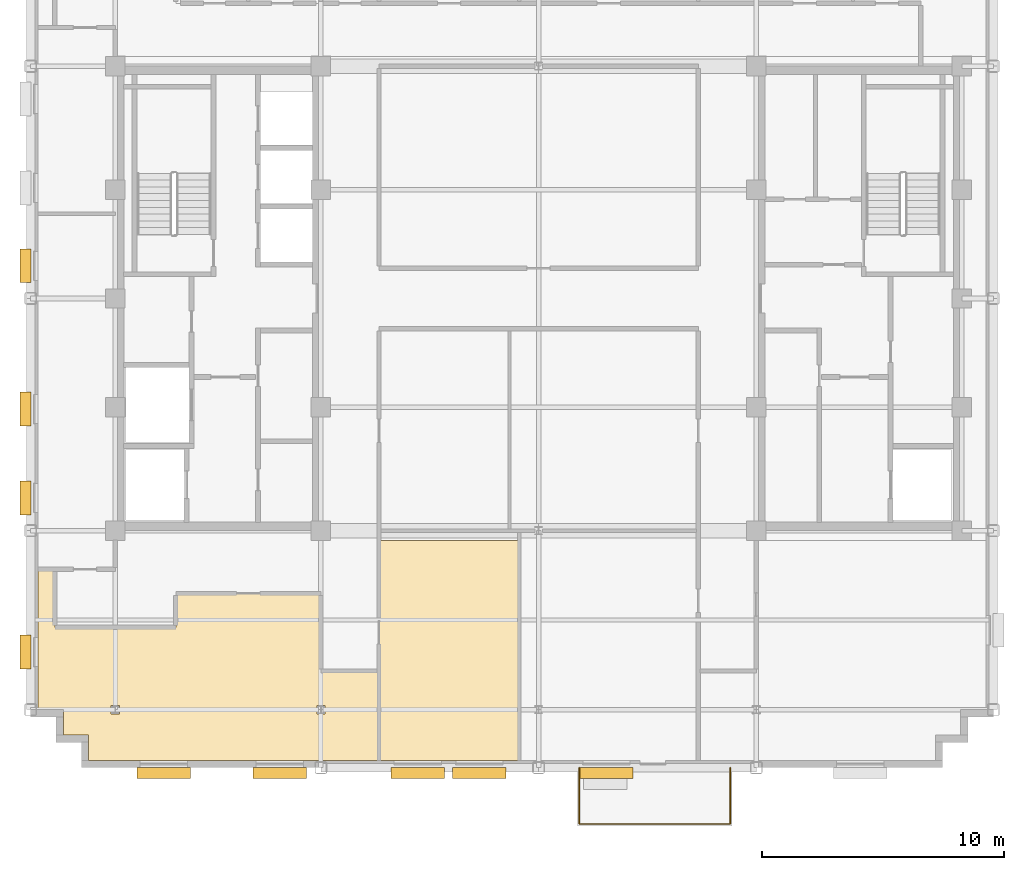
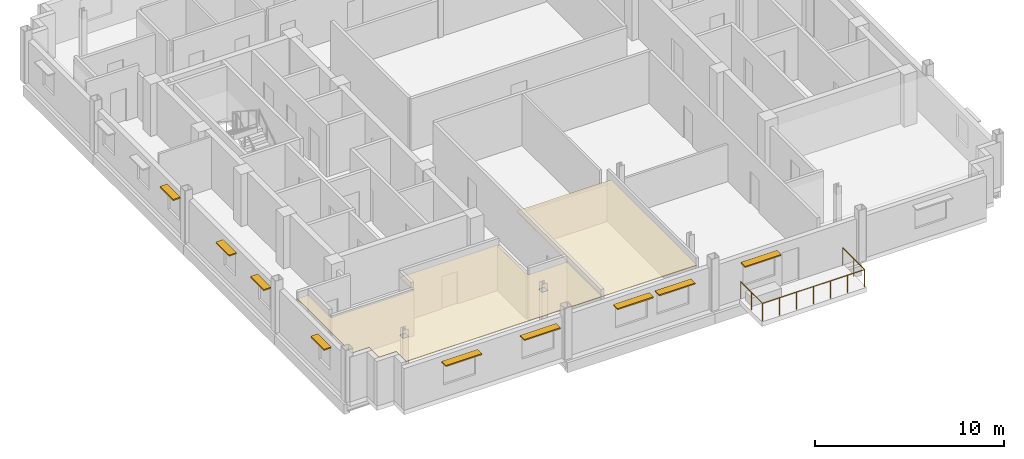
# One storey, part 10 of 13: 9 shading devices, 2 coverings, 1 railing.
"""IFC4 building model written with IfcOpenShell, lengths in metres."""

from ifc_helpers import new_model, si_unit, direction, frame, origin, origin_2d, place, context, subcontext, project, spatial, polyline, rectangle, circle, outline, extrude, source, transform, mapped, material, layer, layer_set, type_object, type_shapes, element, save


model = new_model("IFC4")

# Units and contexts
model_context = context("Model", 3, precision=1e-05, world=origin(), true_north=direction((0.0, 1.0)))
body_context = subcontext(model_context, "Body", "Model", "MODEL_VIEW")
ifc_project = project(units=[si_unit("LENGTHUNIT", "METRE"), si_unit("AREAUNIT", "SQUARE_METRE"), si_unit("VOLUMEUNIT", "CUBIC_METRE"), si_unit("PLANEANGLEUNIT", "RADIAN"), si_unit("MASSUNIT", "GRAM", prefix="KILO")], contexts=[model_context])

# Site, building, storey
site_placement = place(None, origin())
site = spatial("IfcSite", under=ifc_project, at=site_placement, CompositionType="ELEMENT")
building_placement = place(site_placement, origin())
building = spatial("IfcBuilding", under=site, at=building_placement, Name="Nuvemarco Arch Tower", CompositionType="ELEMENT")
storey_placement = place(building_placement, frame((0.0, 0.0, 265.25)))
storey = spatial("IfcBuildingStorey", under=building, at=storey_placement, Name="L70", CompositionType="ELEMENT", Elevation=265.25)

# Coverings
ifc_material_1 = material(Name="Mineral acoustic ceiling tile")
ifc_layer = layer(ifc_material_1, 0.0400390625, Name="COV-ACOUSTIC-CLG")
ifc_layer_set = layer_set([ifc_layer], Name="Mineral acoustic ceiling tile")
covering_type = type_object("IfcCoveringType", Name="COV-ACOUSTIC-CLG", PredefinedType="CEILING", material=ifc_layer_set)
covering_1_placement = place(storey_placement, frame((0.0, 0.0, 2.85009765625)))
element("IfcCovering", 1, at=covering_1_placement, inside=storey, type_object=covering_type, Name="L70 suspended acoustic ceiling 2", PredefinedType="CEILING", context=body_context, shape_type="SweptSolid", body=[
    extrude(outline(polyline([(-20.699951171875, -17.0), (-20.699951171875, -11.199951171875), (-20.0, -11.199951171875), (-20.0, -13.60009765625), (-15.0, -13.60009765625), (-15.0, -12.199951171875), (-9.0, -12.199951171875), (-9.0, -15.39990234375), (-6.60009765625, -15.39990234375), (-6.60009765625, -19.10009765625), (-18.60009765625, -19.10009765625), (-18.60009765625, -18.050048828125), (-19.64990234375, -18.050048828125), (-19.64990234375, -17.0), (-20.699951171875, -17.0)]), holes=[polyline([(-17.330078125, -16.830078125), (-17.669921875, -16.830078125), (-17.669921875, -17.169921875), (-17.330078125, -17.169921875), (-17.330078125, -16.830078125)]), polyline([(-8.830078125, -16.830078125), (-9.169921875, -16.830078125), (-9.169921875, -17.169921875), (-8.830078125, -17.169921875), (-8.830078125, -16.830078125)])]), origin(), (0.0, 0.0, 1.0), 0.039794921875),
])
covering_2_placement = place(storey_placement, frame((0.0, 0.0, 2.85009765625)))
element("IfcCovering", 2, at=covering_2_placement, inside=storey, type_object=covering_type, Name="L70 suspended acoustic ceiling 4", PredefinedType="CEILING", context=body_context, shape_type="SweptSolid", body=[
    extrude(outline(polyline([(-6.60009765625, -10.0), (-0.800048828125, -10.0), (-0.800048828125, -19.10009765625), (-6.60009765625, -19.10009765625), (-6.60009765625, -15.39990234375), (-6.60009765625, -12.199951171875), (-6.60009765625, -10.0)])), origin(), (0.0, 0.0, 1.0), 0.039794921875),
])

# Railing
ifc_material_2 = material(Name="Dark anodised balustrade steel S355", Category="steel")
railing_type = type_object("IfcRailingType", Name="RL-TERR-GUARD", PredefinedType="BALUSTRADE", material=ifc_material_2)
railing_placement = place(storey_placement, frame((1.679931640625, -19.39990234375, 0.0)))
element("IfcRailing", 3, at=railing_placement, inside=storey, type_object=railing_type, Name="L70 spiral terrace perimeter balustrade guard", PredefinedType="BALUSTRADE", context=body_context, shape_type="SweptSolid", body=[
    extrude(circle(Radius=0.02392578125, at=origin_2d()), frame((0.0, 0.0, 1.1259765625), z_axis=(0.0, -1.0, 0.0), x_axis=(1.0, 0.0, 0.0)), (0.0, 0.0, 1.0), 2.320068359375),
    extrude(circle(Radius=0.02392578125, at=origin_2d()), frame((0.0, -2.320068359375, 1.1259765625), z_axis=(1.0, 0.0, 0.0), x_axis=(0.0, 1.0, 0.0)), (0.0, 0.0, 1.0), 6.239990234375),
    extrude(circle(Radius=0.02392578125, at=origin_2d()), frame((6.239990234375, -2.320068359375, 1.1259765625), z_axis=(0.0, 1.0, 0.0), x_axis=(-1.0, 0.0, 0.0)), (0.0, 0.0, 1.0), 2.320068359375),
    extrude(circle(Radius=0.02099609375, at=origin_2d()), origin(), (0.0, 0.0, 1.0), 1.101806640625),
    extrude(circle(Radius=0.02099609375, at=origin_2d()), frame((0.0, -1.16015625, 0.0)), (0.0, 0.0, 1.0), 1.101806640625),
    extrude(circle(Radius=0.02099609375, at=origin_2d()), frame((0.0, -2.320068359375, 0.0)), (0.0, 0.0, 1.0), 1.101806640625),
    extrude(circle(Radius=0.02099609375, at=origin_2d()), frame((1.0400390625, -2.320068359375, 0.0)), (0.0, 0.0, 1.0), 1.101806640625),
    extrude(circle(Radius=0.02099609375, at=origin_2d()), frame((2.080078125, -2.320068359375, 0.0)), (0.0, 0.0, 1.0), 1.101806640625),
    extrude(circle(Radius=0.02099609375, at=origin_2d()), frame((3.1201171875, -2.320068359375, 0.0)), (0.0, 0.0, 1.0), 1.101806640625),
    extrude(circle(Radius=0.02099609375, at=origin_2d()), frame((4.159912109375, -2.320068359375, 0.0)), (0.0, 0.0, 1.0), 1.101806640625),
    extrude(circle(Radius=0.02099609375, at=origin_2d()), frame((5.199951171875, -2.320068359375, 0.0)), (0.0, 0.0, 1.0), 1.101806640625),
    extrude(circle(Radius=0.02099609375, at=origin_2d()), frame((6.239990234375, -2.320068359375, 0.0)), (0.0, 0.0, 1.0), 1.101806640625),
    extrude(circle(Radius=0.02099609375, at=origin_2d()), frame((6.239990234375, -1.16015625, 0.0)), (0.0, 0.0, 1.0), 1.101806640625),
    extrude(circle(Radius=0.02099609375, at=origin_2d()), frame((6.239990234375, 0.0, 0.0)), (0.0, 0.0, 1.0), 1.101806640625),
])

# Shading devices
ifc_material_3 = material(Name="Anodised aluminium 6063-T6", Category="aluminium")
shading_device_type_1 = type_object("IfcShadingDeviceType", Name="SHD-BRISE-SOLEIL", PredefinedType="USERDEFINED", material=ifc_material_3)
shared_shape_1 = source(origin(), body_context, "Body", "SweptSolid", [
    extrude(rectangle(XDim=2.199951171875, YDim=0.449951171875, at=origin_2d()), origin(), (0.0, 0.0, 1.0), 0.080078125),
])
type_shapes(shading_device_type_1, [shared_shape_1])
for number, where, z_axis, x_axis, name in (
    (4, (-15.5, -19.614990234375, 2.284912109375), (0.0, 0.0, 1.0), (1.0, 0.0, 0.0), "L70 horizontal brise-soleil sunshade"),
    (5, (-10.699951171875, -19.614990234375, 2.284912109375), (0.0, 0.0, 1.0), (1.0, 0.0, 0.0), "L70 horizontal brise-soleil sunshade"),
    (6, (-5.0, -19.614990234375, 2.284912109375), (0.0, 0.0, 1.0), (1.0, 0.0, 0.0), "L70 horizontal brise-soleil sunshade"),
    (7, (-2.449951171875, -19.614990234375, 2.284912109375), (0.0, 0.0, 1.0), (1.0, 0.0, 0.0), "L70 horizontal brise-soleil sunshade"),
    (8, (2.800048828125, -19.614990234375, 2.284912109375), (0.0, 0.0, 1.0), (1.0, 0.0, 0.0), "L70 horizontal brise-soleil sunshade"),
):
    element("IfcShadingDevice", number, at=place(storey_placement, frame(where, z_axis=z_axis, x_axis=x_axis)), inside=storey, type_object=shading_device_type_1, Name=name, ObjectType="SUNSHADE", PredefinedType="USERDEFINED", context=body_context, shape_type="MappedRepresentation", body=[
        mapped(shared_shape_1, transform((0.0, 0.0, 0.0), scale=1.0)),
    ])
shading_device_type_2 = type_object("IfcShadingDeviceType", Name="SHD-BRISE-NARROW", PredefinedType="USERDEFINED", material=ifc_material_3)
shared_shape_2 = source(origin(), body_context, "Body", "SweptSolid", [
    extrude(rectangle(XDim=1.39990234375, YDim=0.449951171875, at=origin_2d()), origin(), (0.0, 0.0, 1.0), 0.080078125),
])
type_shapes(shading_device_type_2, [shared_shape_2])
for number, where, z_axis, x_axis, name in (
    (9, (-21.215087890625, -14.61767578125, 2.284912109375), (0.0, 0.0, 1.0), (0.0, 1.0, 0.0), "L70 horizontal brise-soleil sunshade"),
    (10, (-21.215087890625, -8.2451171875, 2.284912109375), (0.0, 0.0, 1.0), (0.0, 1.0, 0.0), "L70 horizontal brise-soleil sunshade"),
    (11, (-21.215087890625, -4.572509765625, 2.284912109375), (0.0, 0.0, 1.0), (0.0, 1.0, 0.0), "L70 horizontal brise-soleil sunshade"),
    (12, (-21.215087890625, 1.35009765625, 2.284912109375), (0.0, 0.0, 1.0), (0.0, 1.0, 0.0), "L70 horizontal brise-soleil sunshade"),
):
    element("IfcShadingDevice", number, at=place(storey_placement, frame(where, z_axis=z_axis, x_axis=x_axis)), inside=storey, type_object=shading_device_type_2, Name=name, ObjectType="SUNSHADE", PredefinedType="USERDEFINED", context=body_context, shape_type="MappedRepresentation", body=[
        mapped(shared_shape_2, transform((0.0, 0.0, 0.0), scale=1.0)),
    ])

save(model, "model.ifc")
